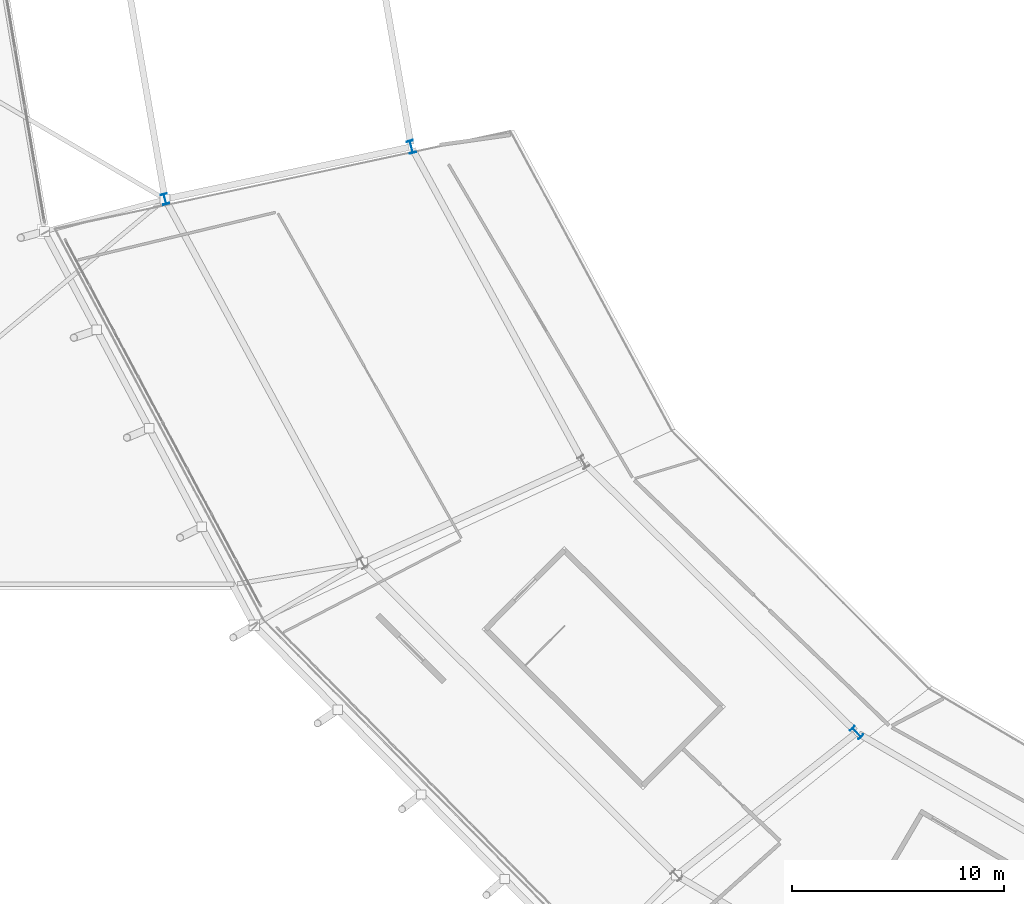
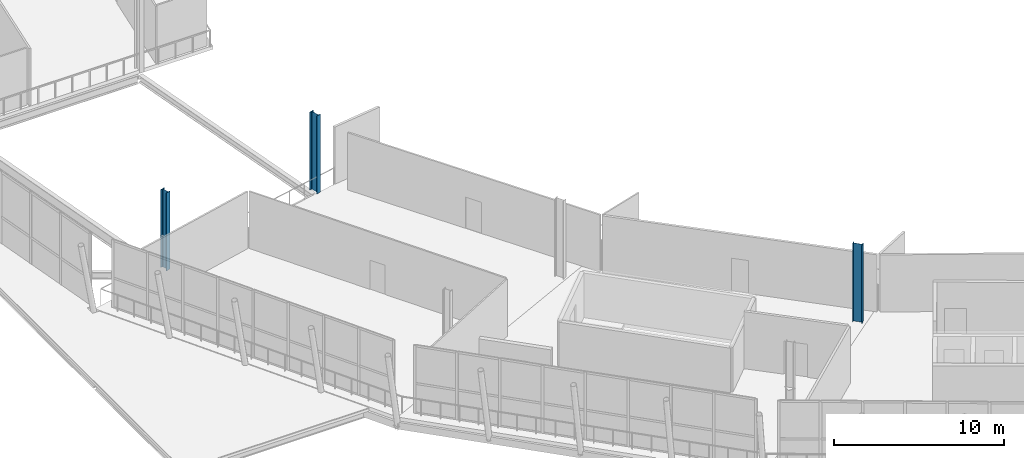
# One storey, part 2 of 99: 3 columns.
"""IFC4 building model written with IfcOpenShell, lengths in metres."""

from ifc_helpers import new_model, si_unit, direction, frame, origin, origin_2d, place, context, subcontext, project, spatial, i_section, extrude, material, material_profile, profile_set, type_object, element, save


model = new_model("IFC4")

# Units and contexts
model_context = context("Model", 3, precision=1e-05, world=origin(), true_north=direction((0.0, 1.0)))
body_context = subcontext(model_context, "Body", "Model", "MODEL_VIEW")
ifc_project = project(units=[si_unit("LENGTHUNIT", "METRE"), si_unit("AREAUNIT", "SQUARE_METRE"), si_unit("VOLUMEUNIT", "CUBIC_METRE"), si_unit("PLANEANGLEUNIT", "RADIAN"), si_unit("MASSUNIT", "GRAM", prefix="KILO")], contexts=[model_context])

# Site, building, storey
site_placement = place(None, origin())
site = spatial("IfcSite", under=ifc_project, at=site_placement, CompositionType="ELEMENT")
building_placement = place(site_placement, origin())
building = spatial("IfcBuilding", under=site, at=building_placement, Name="Zlatoyarsky Gate Stadium", CompositionType="ELEMENT")
storey_placement = place(building_placement, frame((0.0, 0.0, 26.199951171875)))
storey = spatial("IfcBuildingStorey", under=building, at=storey_placement, Name="L05", CompositionType="ELEMENT", Elevation=26.199951171875)

# Columns
ifc_material = material(Name="Steel S355", Category="steel")
ifc_material_profile_1 = material_profile(ifc_material, i_section(OverallWidth=0.300048828125, OverallDepth=0.5, WebThickness=0.014404296875, FlangeThickness=0.028076171875, FilletRadius=0.027099609375, at=origin_2d()), Name="HEB 500")
ifc_profile_set_1 = profile_set([ifc_material_profile_1], Name="Steel S355")
column_type_1 = type_object("IfcColumnType", Name="STEEL COLUMN HEB 500", PredefinedType="COLUMN", material=ifc_profile_set_1)
column_placement = place(storey_placement, frame((21.1689453125, 61.623779296875, 0.0), z_axis=(0.0, 0.0, 1.0), x_axis=(-0.965925826289, -0.258819045103, 0.0)))
element("IfcColumn", 1, at=column_placement, inside=storey, type_object=column_type_1, Name="Column ST-C500 RC-13 on L05", PredefinedType="COLUMN", context=body_context, shape_type="SweptSolid", body=[
    extrude(i_section(OverallWidth=0.300048828125, OverallDepth=0.5, WebThickness=0.014404296875, FlangeThickness=0.028076171875, FilletRadius=0.027099609375, at=origin_2d()), origin(), (0.0, 0.0, 1.0), 5.60009765625),
])
ifc_material_profile_2 = material_profile(ifc_material, i_section(OverallWidth=0.300048828125, OverallDepth=0.60009765625, WebThickness=0.015380859375, FlangeThickness=0.030029296875, FilletRadius=0.027099609375, at=origin_2d()), Name="HEB 600")
ifc_profile_set_2 = profile_set([ifc_material_profile_2], Name="Steel S355")
column_type_2 = type_object("IfcColumnType", Name="STEEL COLUMN HEB 600", PredefinedType="COLUMN", material=ifc_profile_set_2)
for number, where, z_axis, x_axis, name in (
    (2, (32.760009765625, 64.08251953125, 0.0), (0.0, 0.0, 1.0), (-0.965925826289, -0.258819045103, 0.0), "Column ST-C600 RB-13 on L05"),
    (3, (53.724365234375, 36.512939453125, 0.0), (0.0, 0.0, 1.0), (-0.707106781187, -0.707106781187, 0.0), "Column ST-C600 RB-15 on L05"),
):
    element("IfcColumn", number, at=place(storey_placement, frame(where, z_axis=z_axis, x_axis=x_axis)), inside=storey, type_object=column_type_2, Name=name, PredefinedType="COLUMN", context=body_context, shape_type="SweptSolid", body=[
        extrude(i_section(OverallWidth=0.300048828125, OverallDepth=0.60009765625, WebThickness=0.015380859375, FlangeThickness=0.030029296875, FilletRadius=0.027099609375, at=origin_2d()), origin(), (0.0, 0.0, 1.0), 5.60009765625),
    ])

save(model, "model.ifc")
